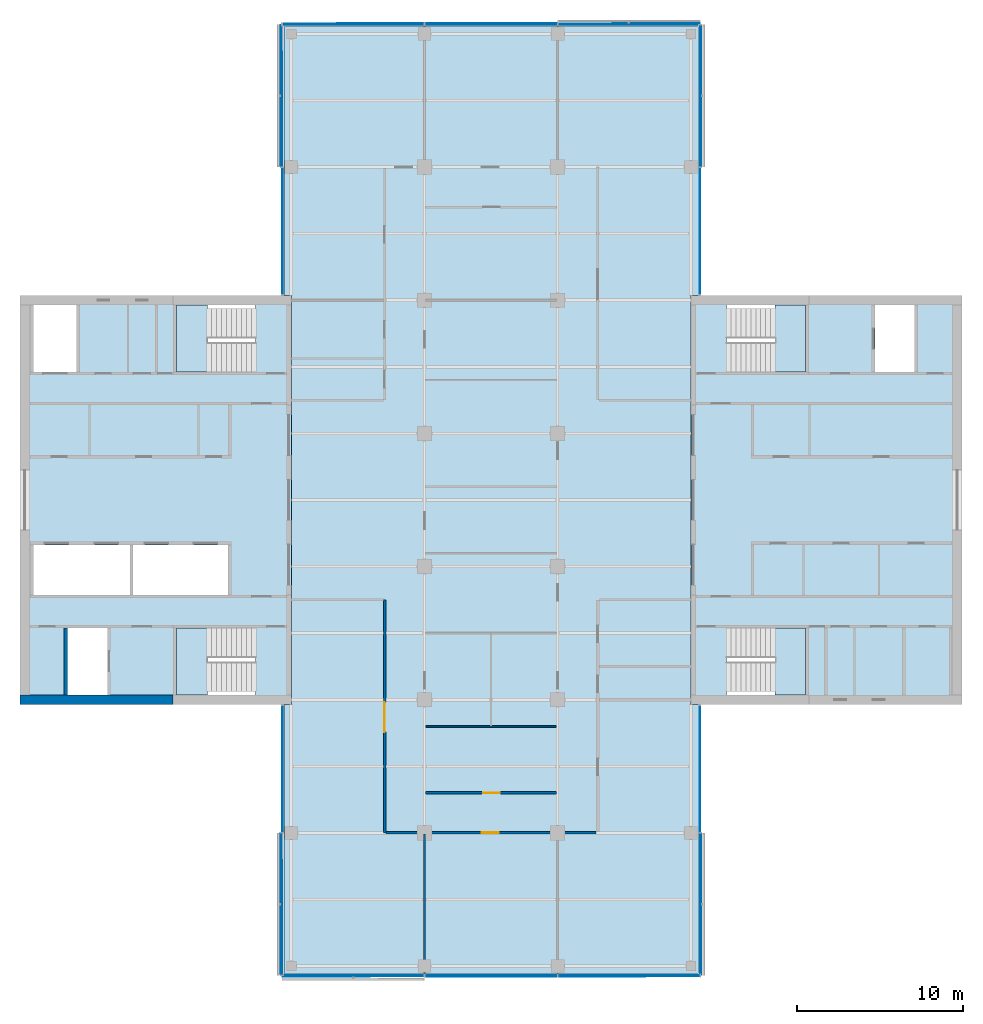
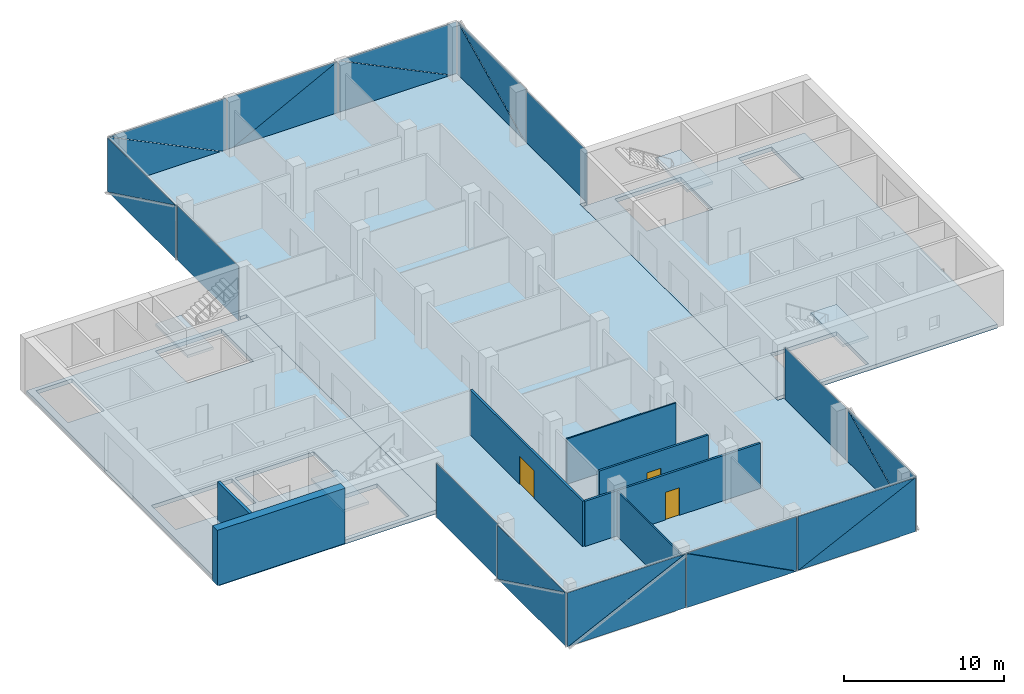
# One storey, part 8 of 15: 24 plates, 7 slabs, 7 walls, 3 doors, 3 openings, 14 elements without a shape of their own.
"""IFC4 building model written with IfcOpenShell, lengths in metres."""

from ifc_helpers import new_model, si_unit, direction, frame, frame_2d, origin, place, context, subcontext, project, spatial, polyline, rectangle, outline, extrude, material, layer, layer_set, constituent, constituent_set, type_object, element, fill, aggregate, save


model = new_model("IFC4")

# Units and contexts
model_context = context("Model", 3, precision=1e-05, world=origin(), true_north=direction((0.0, 1.0)))
body_context = subcontext(model_context, "Body", "Model", "MODEL_VIEW")
ifc_project = project(units=[si_unit("LENGTHUNIT", "METRE"), si_unit("AREAUNIT", "SQUARE_METRE"), si_unit("VOLUMEUNIT", "CUBIC_METRE"), si_unit("PLANEANGLEUNIT", "RADIAN"), si_unit("MASSUNIT", "GRAM", prefix="KILO")], contexts=[model_context])

# Site, building, storey
site_placement = place(None, origin())
site = spatial("IfcSite", under=ifc_project, at=site_placement, CompositionType="ELEMENT")
building_placement = place(site_placement, origin())
building = spatial("IfcBuilding", under=site, at=building_placement, Name="Crosswind Convention Tower", CompositionType="ELEMENT")
storey_placement = place(building_placement, frame((0.0, 0.0, 191.5)))
storey = spatial("IfcBuildingStorey", under=building, at=storey_placement, Name="L40", CompositionType="ELEMENT", Elevation=191.5)

# Slabs
ifc_material_1 = material(Name="Concrete C40/50", Category="concrete")
ifc_layer_1 = layer(ifc_material_1, 0.300048828125)
ifc_layer_set_1 = layer_set([ifc_layer_1], Name="Concrete C40/50")
slab_type_1 = type_object("IfcSlabType", Name="Composite floor slab 300", PredefinedType="FLOOR", material=ifc_layer_set_1)
slab_1_placement = place(storey_placement, frame((0.0, 0.0, -0.300048828125)))
element("IfcSlab", 1, at=slab_1_placement, inside=storey, type_object=slab_type_1, Name="Floor slab L40", PredefinedType="FLOOR", context=body_context, shape_type="SweptSolid", body=[
    extrude(outline(polyline([(137.449951171875, 71.550048828125), (137.0, 71.550048828125), (113.0, 71.550048828125), (112.550048828125, 71.550048828125), (112.550048828125, 72.0), (112.550048828125, 87.699951171875), (113.0, 87.699951171875), (113.0, 112.300048828125), (112.550048828125, 112.300048828125), (112.550048828125, 128.0), (112.550048828125, 128.449951171875), (113.0, 128.449951171875), (137.0, 128.449951171875), (137.449951171875, 128.449951171875), (137.449951171875, 128.0), (137.449951171875, 112.300048828125), (137.0, 112.300048828125), (137.0, 87.699951171875), (137.449951171875, 87.699951171875), (137.449951171875, 72.0), (137.449951171875, 71.550048828125)])), origin(), (0.0, 0.0, 1.0), 0.300048828125),
])
ifc_layer_2 = layer(ifc_material_1, 0.300048828125)
ifc_layer_set_2 = layer_set([ifc_layer_2], Name="Concrete C40/50")
slab_type_2 = type_object("IfcSlabType", Name="Concrete core floor slab 300", PredefinedType="FLOOR", material=ifc_layer_set_2)
slab_2_placement = place(storey_placement, frame((0.0, 0.0, -0.300048828125)))
element("IfcSlab", 2, at=slab_2_placement, inside=storey, type_object=slab_type_2, Name="Core floor slab E L40", PredefinedType="FLOOR", context=body_context, shape_type="SweptSolid", body=[
    extrude(outline(polyline([(137.0, 88.0), (153.0, 88.0), (153.0, 112.0), (137.0, 112.0), (137.0, 88.0)]), holes=[polyline([(150.449951171875, 107.699951171875), (150.449951171875, 111.699951171875), (148.050048828125, 111.699951171875), (148.050048828125, 107.699951171875), (150.449951171875, 107.699951171875)]), polyline([(143.89990234375, 107.699951171875), (143.89990234375, 111.699951171875), (139.14990234375, 111.699951171875), (139.14990234375, 107.699951171875), (143.89990234375, 107.699951171875)]), polyline([(143.89990234375, 88.300048828125), (143.89990234375, 92.300048828125), (139.14990234375, 92.300048828125), (139.14990234375, 88.300048828125), (143.89990234375, 88.300048828125)])]), origin(), (0.0, 0.0, 1.0), 0.300048828125),
])
slab_3_placement = place(storey_placement, frame((0.0, 0.0, -0.300048828125)))
element("IfcSlab", 3, at=slab_3_placement, inside=storey, type_object=slab_type_2, Name="Core floor slab W L40", PredefinedType="FLOOR", context=body_context, shape_type="SweptSolid", body=[
    extrude(outline(polyline([(97.0, 88.0), (113.0, 88.0), (113.0, 112.0), (97.0, 112.0), (97.0, 88.0)]), holes=[polyline([(109.199951171875, 94.300048828125), (109.199951171875, 97.300048828125), (103.5, 97.300048828125), (103.5, 94.300048828125), (109.199951171875, 94.300048828125)]), polyline([(103.300048828125, 94.300048828125), (103.300048828125, 97.300048828125), (97.5, 97.300048828125), (97.5, 94.300048828125), (103.300048828125, 94.300048828125)]), polyline([(101.949951171875, 88.300048828125), (101.949951171875, 92.300048828125), (99.550048828125, 92.300048828125), (99.550048828125, 88.300048828125), (101.949951171875, 88.300048828125)]), polyline([(100.10009765625, 107.699951171875), (100.10009765625, 111.699951171875), (97.5, 111.699951171875), (97.5, 107.699951171875), (100.10009765625, 107.699951171875)]), polyline([(110.85009765625, 88.300048828125), (110.85009765625, 92.300048828125), (106.10009765625, 92.300048828125), (106.10009765625, 88.300048828125), (110.85009765625, 88.300048828125)]), polyline([(110.85009765625, 107.699951171875), (110.85009765625, 111.699951171875), (106.10009765625, 111.699951171875), (106.10009765625, 107.699951171875), (110.85009765625, 107.699951171875)])]), origin(), (0.0, 0.0, 1.0), 0.300048828125),
])

# Stair, slab
stair_type = type_object("IfcStairType", Name="Exit stair 1800 wide, 2 flights of 11 risers", PredefinedType="HALF_TURN_STAIR", material=ifc_material_1)
stair_1_placement = place(storey_placement, origin())
stair_1 = element("IfcStair", 4, at=stair_1_placement, inside=storey, type_object=stair_type, Name="Exit stair ST1 L40", ObjectType="ST5", PredefinedType="HALF_TURN_STAIR")
ifc_layer_3 = layer(ifc_material_1, 0.199951171875)
ifc_layer_set_3 = layer_set([ifc_layer_3], Name="Concrete C40/50")
slab_type_3 = type_object("IfcSlabType", Name="Stair landing 200", PredefinedType="LANDING", material=ifc_layer_set_3)
slab_4_placement = place(storey_placement, frame((0.0, 0.0, 1.89990234375)))
slab_4 = element("IfcSlab", 5, at=slab_4_placement, type_object=slab_type_3, Name="ST1 landing 1", PredefinedType="LANDING", context=body_context, shape_type="SweptSolid", body=[
    extrude(outline(polyline([(143.89990234375, 107.699951171875), (143.89990234375, 111.699951171875), (142.050048828125, 111.699951171875), (142.050048828125, 107.699951171875), (143.89990234375, 107.699951171875)])), origin(), (0.0, 0.0, 1.0), 0.2001953125),
])
aggregate(stair_1, [slab_4])

stair_2_placement = place(storey_placement, origin())
stair_2 = element("IfcStair", 6, at=stair_2_placement, inside=storey, type_object=stair_type, Name="Exit stair ST2 L40", ObjectType="ST5", PredefinedType="HALF_TURN_STAIR")
slab_5_placement = place(storey_placement, frame((0.0, 0.0, 1.89990234375)))
slab_5 = element("IfcSlab", 7, at=slab_5_placement, type_object=slab_type_3, Name="ST2 landing 1", PredefinedType="LANDING", context=body_context, shape_type="SweptSolid", body=[
    extrude(outline(polyline([(143.89990234375, 88.300048828125), (143.89990234375, 92.300048828125), (142.050048828125, 92.300048828125), (142.050048828125, 88.300048828125), (143.89990234375, 88.300048828125)])), origin(), (0.0, 0.0, 1.0), 0.2001953125),
])
aggregate(stair_2, [slab_5])

stair_3_placement = place(storey_placement, origin())
stair_3 = element("IfcStair", 8, at=stair_3_placement, inside=storey, type_object=stair_type, Name="Exit stair ST3 L40", ObjectType="ST5", PredefinedType="HALF_TURN_STAIR")
slab_6_placement = place(storey_placement, frame((0.0, 0.0, 1.89990234375)))
slab_6 = element("IfcSlab", 9, at=slab_6_placement, type_object=slab_type_3, Name="ST3 landing 1", PredefinedType="LANDING", context=body_context, shape_type="SweptSolid", body=[
    extrude(outline(polyline([(107.949951171875, 88.300048828125), (107.949951171875, 92.300048828125), (106.10009765625, 92.300048828125), (106.10009765625, 88.300048828125), (107.949951171875, 88.300048828125)])), origin(), (0.0, 0.0, 1.0), 0.2001953125),
])
aggregate(stair_3, [slab_6])

stair_4_placement = place(storey_placement, origin())
stair_4 = element("IfcStair", 10, at=stair_4_placement, inside=storey, type_object=stair_type, Name="Exit stair ST4 L40", ObjectType="ST5", PredefinedType="HALF_TURN_STAIR")
slab_7_placement = place(storey_placement, frame((0.0, 0.0, 1.89990234375)))
slab_7 = element("IfcSlab", 11, at=slab_7_placement, type_object=slab_type_3, Name="ST4 landing 1", PredefinedType="LANDING", context=body_context, shape_type="SweptSolid", body=[
    extrude(outline(polyline([(107.949951171875, 107.699951171875), (107.949951171875, 111.699951171875), (106.10009765625, 111.699951171875), (106.10009765625, 107.699951171875), (107.949951171875, 107.699951171875)])), origin(), (0.0, 0.0, 1.0), 0.2001953125),
])
aggregate(stair_4, [slab_7])

# Curtain wall, plate
ifc_material_2 = material(Name="Aluminium unitised curtain wall", Category="aluminium")
curtain_wall_type_1 = type_object("IfcCurtainWallType", Name="CORE END SLOT WALL 160", PredefinedType="USERDEFINED", material=ifc_material_2)
curtain_wall_1_placement = place(storey_placement, origin())
curtain_wall_1 = element("IfcCurtainWall", 12, at=curtain_wall_1_placement, inside=storey, type_object=curtain_wall_type_1, Name="CW6 L40 N-E.1-1 slot", ObjectType="UNITISED", PredefinedType="USERDEFINED")
ifc_material_3 = material(Name="Laminated insulating glass unit", Category="glass")
ifc_layer_4 = layer(ifc_material_3, 0.02587890625)
ifc_layer_set_4 = layer_set([ifc_layer_4], Name="TRIANGULAR GLASS PANEL 26")
plate_type_1 = type_object("IfcPlateType", Name="TRIANGULAR GLASS PANEL 26", PredefinedType="CURTAIN_PANEL", material=ifc_layer_set_4)
plate_1_placement = place(storey_placement, frame((137.556884765625, 112.35009765625, -0.300048828125), z_axis=(0.999999915215, 0.0, 0.000411788894), x_axis=(0.0, 1.0, 0.0)))
plate_1 = element("IfcPlate", 13, at=plate_1_placement, type_object=plate_type_1, Name="CW6 panel 1.1", PredefinedType="CURTAIN_PANEL", context=body_context, shape_type="SweptSolid", body=[
    extrude(outline(polyline([(0.0, 0.0), (7.599853515625, 0.0), (7.599853515625, 4.150146836245408), (0.0, 4.150146836245408), (0.0, 0.0)])), origin(), (0.0, 0.0, -1.0), 0.02587890625),
])
aggregate(curtain_wall_1, [plate_1])

curtain_wall_2_placement = place(storey_placement, origin())
curtain_wall_2 = element("IfcCurtainWall", 14, at=curtain_wall_2_placement, inside=storey, type_object=curtain_wall_type_1, Name="CW6 L40 N-W.1-2 slot", ObjectType="UNITISED", PredefinedType="USERDEFINED")
plate_2_placement = place(storey_placement, frame((112.443115234375, 119.949951171875, -0.300048828125), z_axis=(-0.999999915215, 0.0, 0.000411788894), x_axis=(0.0, -1.0, 0.0)))
plate_2 = element("IfcPlate", 15, at=plate_2_placement, type_object=plate_type_1, Name="CW6 panel 1.1", PredefinedType="CURTAIN_PANEL", context=body_context, shape_type="SweptSolid", body=[
    extrude(outline(polyline([(0.0, 0.0), (7.599853515625, 0.0), (7.599853515625, 4.150146836245408), (0.0, 4.150146836245408), (0.0, 0.0)])), origin(), (0.0, 0.0, -1.0), 0.02587890625),
])
aggregate(curtain_wall_2, [plate_2])

curtain_wall_3_placement = place(storey_placement, origin())
curtain_wall_3 = element("IfcCurtainWall", 16, at=curtain_wall_3_placement, inside=storey, type_object=curtain_wall_type_1, Name="CW6 L40 S-W.1-1 slot", ObjectType="UNITISED", PredefinedType="USERDEFINED")
plate_3_placement = place(storey_placement, frame((112.443115234375, 87.64990234375, -0.300048828125), z_axis=(-0.999999915215, 0.0, 0.000411788894), x_axis=(0.0, -1.0, 0.0)))
plate_3 = element("IfcPlate", 17, at=plate_3_placement, type_object=plate_type_1, Name="CW6 panel 1.1", PredefinedType="CURTAIN_PANEL", context=body_context, shape_type="SweptSolid", body=[
    extrude(outline(polyline([(0.0, 0.0), (7.599853515625, 0.0), (7.599853515625, 4.150146836245408), (0.0, 4.150146836245408), (0.0, 0.0)])), origin(), (0.0, 0.0, -1.0), 0.02587890625),
])
aggregate(curtain_wall_3, [plate_3])

curtain_wall_4_placement = place(storey_placement, origin())
curtain_wall_4 = element("IfcCurtainWall", 18, at=curtain_wall_4_placement, inside=storey, type_object=curtain_wall_type_1, Name="CW6 L40 S-E.1-2 slot", ObjectType="UNITISED", PredefinedType="USERDEFINED")
plate_4_placement = place(storey_placement, frame((137.556884765625, 80.050048828125, -0.300048828125), z_axis=(0.999999915215, 0.0, 0.000411788894), x_axis=(0.0, 1.0, 0.0)))
plate_4 = element("IfcPlate", 19, at=plate_4_placement, type_object=plate_type_1, Name="CW6 panel 1.1", PredefinedType="CURTAIN_PANEL", context=body_context, shape_type="SweptSolid", body=[
    extrude(outline(polyline([(0.0, 0.0), (7.599853515625, 0.0), (7.599853515625, 4.150146836245408), (0.0, 4.150146836245408), (0.0, 0.0)])), origin(), (0.0, 0.0, -1.0), 0.02587890625),
])
aggregate(curtain_wall_4, [plate_4])

# Curtain wall, plates
curtain_wall_type_2 = type_object("IfcCurtainWallType", Name="OFFICE UNITISED WALL 220", PredefinedType="USERDEFINED", material=ifc_material_2)
curtain_wall_5_placement = place(storey_placement, origin())
curtain_wall_5 = element("IfcCurtainWall", 20, at=curtain_wall_5_placement, inside=storey, type_object=curtain_wall_type_2, Name="CW3 L40 N-E 1", ObjectType="UNITISED", PredefinedType="USERDEFINED")
ifc_layer_5 = layer(ifc_material_3, 0.031982421875)
ifc_layer_set_5 = layer_set([ifc_layer_5], Name="TRIANGULAR GLASS PANEL 32")
plate_type_2 = type_object("IfcPlateType", Name="TRIANGULAR GLASS PANEL 32", PredefinedType="CURTAIN_PANEL", material=ifc_layer_set_5)
plate_5_placement = place(storey_placement, frame((137.5927734375, 128.52490234375, -0.300048828125), z_axis=(0.999999913924, 0.0, 0.000414913129), x_axis=(-0.000414913129, 0.0, 0.999999913924)))
plate_5 = element("IfcPlate", 21, at=plate_5_placement, type_object=plate_type_2, Name="CW3 panel 1.1", PredefinedType="CURTAIN_PANEL", context=body_context, shape_type="SweptSolid", body=[
    extrude(outline(polyline([(0.0, 0.0), (4.118896838915043, 0.0), (0.0, 8.467041015624998), (0.0, 0.0)])), origin(), (0.0, 0.0, -1.0), 0.031982421875),
])
plate_6_placement = place(storey_placement, frame((137.625244140625, 120.034912109375, 3.830078125), z_axis=(0.99999993676, 0.0, 0.000355639833), x_axis=(0.000355639833, 0.0, -0.99999993676)))
plate_6 = element("IfcPlate", 22, at=plate_6_placement, type_object=plate_type_2, Name="CW3 panel 1.2", PredefinedType="CURTAIN_PANEL", context=body_context, shape_type="SweptSolid", body=[
    extrude(outline(polyline([(0.0, 0.0), (4.1188967448534015, 0.0), (0.0, 8.46728515625), (0.0, 0.0)])), origin(), (0.0, 0.0, -1.0), 0.031982421875),
])
aggregate(curtain_wall_5, [plate_5, plate_6])

curtain_wall_6_placement = place(storey_placement, origin())
curtain_wall_6 = element("IfcCurtainWall", 23, at=curtain_wall_6_placement, inside=storey, type_object=curtain_wall_type_2, Name="CW3 L40 N-TIP 1", ObjectType="UNITISED", PredefinedType="USERDEFINED")
plate_7_placement = place(storey_placement, frame((129.034912109375, 128.5927734375, -0.300048828125), z_axis=(0.0, 0.999999913924, 0.000414913129), x_axis=(0.0, -0.000414913129, 0.999999913924)))
plate_7 = element("IfcPlate", 24, at=plate_7_placement, type_object=plate_type_2, Name="CW3 panel 1.1", PredefinedType="CURTAIN_PANEL", context=body_context, shape_type="SweptSolid", body=[
    extrude(outline(polyline([(0.0, 0.0), (4.118896838915043, 0.0), (0.0, 8.467285156249998), (0.0, 0.0)])), origin(), (0.0, 0.0, -1.0), 0.031982421875),
])
plate_8_placement = place(storey_placement, frame((137.52490234375, 128.625244140625, 3.830078125), z_axis=(0.0, 0.99999993676, 0.000355639833), x_axis=(0.0, 0.000355639833, -0.99999993676)))
plate_8 = element("IfcPlate", 25, at=plate_8_placement, type_object=plate_type_2, Name="CW3 panel 1.2", PredefinedType="CURTAIN_PANEL", context=body_context, shape_type="SweptSolid", body=[
    extrude(outline(polyline([(0.0, 0.0), (4.1188967448534015, 0.0), (0.0, 8.467041015625), (0.0, 0.0)])), origin(), (0.0, 0.0, -1.0), 0.031982421875),
])
plate_9_placement = place(storey_placement, frame((121.034912109375, 128.591064453125, 3.830078125), z_axis=(0.0, 0.999999913924, 0.000414913129), x_axis=(1.0, 0.0, 0.0)))
plate_9 = element("IfcPlate", 26, at=plate_9_placement, type_object=plate_type_2, Name="CW3 panel 2.1", PredefinedType="CURTAIN_PANEL", context=body_context, shape_type="SweptSolid", body=[
    extrude(outline(polyline([(0.0, 0.0), (7.908447265625, 0.0), (0.0, 4.118896838915043), (0.0, 0.0)])), origin(), (0.0, 0.0, -1.0), 0.031982421875),
])
plate_10_placement = place(storey_placement, frame((128.965087890625, 128.626708984375, -0.300048828125), z_axis=(0.0, 0.999999936753, 0.000355660914), x_axis=(-1.0, 0.0, 0.0)))
plate_10 = element("IfcPlate", 27, at=plate_10_placement, type_object=plate_type_2, Name="CW3 panel 2.2", PredefinedType="CURTAIN_PANEL", context=body_context, shape_type="SweptSolid", body=[
    extrude(outline(polyline([(0.0, 0.0), (7.908447265625, 0.0), (0.0, 4.118652604243842), (0.0, 0.0)])), origin(), (0.0, 0.0, -1.0), 0.031982421875),
])
plate_11_placement = place(storey_placement, frame((112.47509765625, 128.5927734375, -0.300048828125), z_axis=(0.0, 0.999999913924, 0.000414913129), x_axis=(0.0, -0.000414913129, 0.999999913924)))
plate_11 = element("IfcPlate", 28, at=plate_11_placement, type_object=plate_type_2, Name="CW3 panel 3.1", PredefinedType="CURTAIN_PANEL", context=body_context, shape_type="SweptSolid", body=[
    extrude(outline(polyline([(0.0, 0.0), (4.118896838915043, 0.0), (0.0, 8.467041015624998), (0.0, 0.0)])), origin(), (0.0, 0.0, -1.0), 0.031982421875),
])
plate_12_placement = place(storey_placement, frame((120.965087890625, 128.625244140625, 3.830078125), z_axis=(0.0, 0.99999993676, 0.000355639833), x_axis=(0.0, 0.000355639833, -0.99999993676)))
plate_12 = element("IfcPlate", 29, at=plate_12_placement, type_object=plate_type_2, Name="CW3 panel 3.2", PredefinedType="CURTAIN_PANEL", context=body_context, shape_type="SweptSolid", body=[
    extrude(outline(polyline([(0.0, 0.0), (4.1188967448534015, 0.0), (0.0, 8.46728515625), (0.0, 0.0)])), origin(), (0.0, 0.0, -1.0), 0.031982421875),
])
aggregate(curtain_wall_6, [plate_7, plate_8, plate_9, plate_10, plate_11, plate_12])

curtain_wall_7_placement = place(storey_placement, origin())
curtain_wall_7 = element("IfcCurtainWall", 30, at=curtain_wall_7_placement, inside=storey, type_object=curtain_wall_type_2, Name="CW3 L40 N-W 1", ObjectType="UNITISED", PredefinedType="USERDEFINED")
plate_13_placement = place(storey_placement, frame((112.4072265625, 120.034912109375, -0.300048828125), z_axis=(-0.999999913924, 0.0, 0.000414913129), x_axis=(0.000414913129, 0.0, 0.999999913924)))
plate_13 = element("IfcPlate", 31, at=plate_13_placement, type_object=plate_type_2, Name="CW3 panel 1.1", PredefinedType="CURTAIN_PANEL", context=body_context, shape_type="SweptSolid", body=[
    extrude(outline(polyline([(0.0, 0.0), (4.118896838915043, 0.0), (0.0, 8.467285156249998), (0.0, 0.0)])), origin(), (0.0, 0.0, -1.0), 0.031982421875),
])
plate_14_placement = place(storey_placement, frame((112.374755859375, 128.52490234375, 3.830078125), z_axis=(-0.99999993676, 0.0, 0.000355639833), x_axis=(-0.000355639833, 0.0, -0.99999993676)))
plate_14 = element("IfcPlate", 32, at=plate_14_placement, type_object=plate_type_2, Name="CW3 panel 1.2", PredefinedType="CURTAIN_PANEL", context=body_context, shape_type="SweptSolid", body=[
    extrude(outline(polyline([(0.0, 0.0), (4.1188967448534015, 0.0), (0.0, 8.467041015625), (0.0, 0.0)])), origin(), (0.0, 0.0, -1.0), 0.031982421875),
])
aggregate(curtain_wall_7, [plate_13, plate_14])

curtain_wall_8_placement = place(storey_placement, origin())
curtain_wall_8 = element("IfcCurtainWall", 33, at=curtain_wall_8_placement, inside=storey, type_object=curtain_wall_type_2, Name="CW3 L40 S-W 1", ObjectType="UNITISED", PredefinedType="USERDEFINED")
plate_15_placement = place(storey_placement, frame((112.4072265625, 71.47509765625, -0.300048828125), z_axis=(-0.999999913924, 0.0, 0.000414913129), x_axis=(0.000414913129, 0.0, 0.999999913924)))
plate_15 = element("IfcPlate", 34, at=plate_15_placement, type_object=plate_type_2, Name="CW3 panel 1.1", PredefinedType="CURTAIN_PANEL", context=body_context, shape_type="SweptSolid", body=[
    extrude(outline(polyline([(0.0, 0.0), (4.118896838915043, 0.0), (0.0, 8.467041015624998), (0.0, 0.0)])), origin(), (0.0, 0.0, -1.0), 0.031982421875),
])
plate_16_placement = place(storey_placement, frame((112.374755859375, 79.965087890625, 3.830078125), z_axis=(-0.99999993676, 0.0, 0.000355639833), x_axis=(-0.000355639833, 0.0, -0.99999993676)))
plate_16 = element("IfcPlate", 35, at=plate_16_placement, type_object=plate_type_2, Name="CW3 panel 1.2", PredefinedType="CURTAIN_PANEL", context=body_context, shape_type="SweptSolid", body=[
    extrude(outline(polyline([(0.0, 0.0), (4.1188967448534015, 0.0), (0.0, 8.46728515625), (0.0, 0.0)])), origin(), (0.0, 0.0, -1.0), 0.031982421875),
])
aggregate(curtain_wall_8, [plate_15, plate_16])

curtain_wall_9_placement = place(storey_placement, origin())
curtain_wall_9 = element("IfcCurtainWall", 36, at=curtain_wall_9_placement, inside=storey, type_object=curtain_wall_type_2, Name="CW3 L40 S-TIP 1", ObjectType="UNITISED", PredefinedType="USERDEFINED")
plate_17_placement = place(storey_placement, frame((120.965087890625, 71.4072265625, -0.300048828125), z_axis=(0.0, -0.999999913924, 0.000414913129), x_axis=(0.0, 0.000414913129, 0.999999913924)))
plate_17 = element("IfcPlate", 37, at=plate_17_placement, type_object=plate_type_2, Name="CW3 panel 1.1", PredefinedType="CURTAIN_PANEL", context=body_context, shape_type="SweptSolid", body=[
    extrude(outline(polyline([(0.0, 0.0), (4.118896838915043, 0.0), (0.0, 8.467285156249998), (0.0, 0.0)])), origin(), (0.0, 0.0, -1.0), 0.031982421875),
])
plate_18_placement = place(storey_placement, frame((112.47509765625, 71.374755859375, 3.830078125), z_axis=(0.0, -0.99999993676, 0.000355639833), x_axis=(0.0, -0.000355639833, -0.99999993676)))
plate_18 = element("IfcPlate", 38, at=plate_18_placement, type_object=plate_type_2, Name="CW3 panel 1.2", PredefinedType="CURTAIN_PANEL", context=body_context, shape_type="SweptSolid", body=[
    extrude(outline(polyline([(0.0, 0.0), (4.1188967448534015, 0.0), (0.0, 8.467041015625), (0.0, 0.0)])), origin(), (0.0, 0.0, -1.0), 0.031982421875),
])
plate_19_placement = place(storey_placement, frame((128.965087890625, 71.408935546875, 3.830078125), z_axis=(0.0, -0.999999913924, 0.000414913129), x_axis=(-1.0, 0.0, 0.0)))
plate_19 = element("IfcPlate", 39, at=plate_19_placement, type_object=plate_type_2, Name="CW3 panel 2.1", PredefinedType="CURTAIN_PANEL", context=body_context, shape_type="SweptSolid", body=[
    extrude(outline(polyline([(0.0, 0.0), (7.908447265625, 0.0), (0.0, 4.118896838915043), (0.0, 0.0)])), origin(), (0.0, 0.0, -1.0), 0.031982421875),
])
plate_20_placement = place(storey_placement, frame((121.034912109375, 71.373291015625, -0.300048828125), z_axis=(0.0, -0.999999936753, 0.000355660914), x_axis=(1.0, 0.0, 0.0)))
plate_20 = element("IfcPlate", 40, at=plate_20_placement, type_object=plate_type_2, Name="CW3 panel 2.2", PredefinedType="CURTAIN_PANEL", context=body_context, shape_type="SweptSolid", body=[
    extrude(outline(polyline([(0.0, 0.0), (7.908447265625, 0.0), (0.0, 4.118652604243842), (0.0, 0.0)])), origin(), (0.0, 0.0, -1.0), 0.031982421875),
])
plate_21_placement = place(storey_placement, frame((137.52490234375, 71.4072265625, -0.300048828125), z_axis=(0.0, -0.999999913924, 0.000414913129), x_axis=(0.0, 0.000414913129, 0.999999913924)))
plate_21 = element("IfcPlate", 41, at=plate_21_placement, type_object=plate_type_2, Name="CW3 panel 3.1", PredefinedType="CURTAIN_PANEL", context=body_context, shape_type="SweptSolid", body=[
    extrude(outline(polyline([(0.0, 0.0), (4.118896838915043, 0.0), (0.0, 8.467041015624998), (0.0, 0.0)])), origin(), (0.0, 0.0, -1.0), 0.031982421875),
])
plate_22_placement = place(storey_placement, frame((129.034912109375, 71.374755859375, 3.830078125), z_axis=(0.0, -0.99999993676, 0.000355639833), x_axis=(0.0, -0.000355639833, -0.99999993676)))
plate_22 = element("IfcPlate", 42, at=plate_22_placement, type_object=plate_type_2, Name="CW3 panel 3.2", PredefinedType="CURTAIN_PANEL", context=body_context, shape_type="SweptSolid", body=[
    extrude(outline(polyline([(0.0, 0.0), (4.1188967448534015, 0.0), (0.0, 8.46728515625), (0.0, 0.0)])), origin(), (0.0, 0.0, -1.0), 0.031982421875),
])
aggregate(curtain_wall_9, [plate_17, plate_18, plate_19, plate_20, plate_21, plate_22])

curtain_wall_10_placement = place(storey_placement, origin())
curtain_wall_10 = element("IfcCurtainWall", 43, at=curtain_wall_10_placement, inside=storey, type_object=curtain_wall_type_2, Name="CW3 L40 S-E 1", ObjectType="UNITISED", PredefinedType="USERDEFINED")
plate_23_placement = place(storey_placement, frame((137.5927734375, 79.965087890625, -0.300048828125), z_axis=(0.999999913924, 0.0, 0.000414913129), x_axis=(-0.000414913129, 0.0, 0.999999913924)))
plate_23 = element("IfcPlate", 44, at=plate_23_placement, type_object=plate_type_2, Name="CW3 panel 1.1", PredefinedType="CURTAIN_PANEL", context=body_context, shape_type="SweptSolid", body=[
    extrude(outline(polyline([(0.0, 0.0), (4.118896838915043, 0.0), (0.0, 8.467285156249998), (0.0, 0.0)])), origin(), (0.0, 0.0, -1.0), 0.031982421875),
])
plate_24_placement = place(storey_placement, frame((137.625244140625, 71.47509765625, 3.830078125), z_axis=(0.99999993676, 0.0, 0.000355639833), x_axis=(0.000355639833, 0.0, -0.99999993676)))
plate_24 = element("IfcPlate", 45, at=plate_24_placement, type_object=plate_type_2, Name="CW3 panel 1.2", PredefinedType="CURTAIN_PANEL", context=body_context, shape_type="SweptSolid", body=[
    extrude(outline(polyline([(0.0, 0.0), (4.1188967448534015, 0.0), (0.0, 8.467041015625), (0.0, 0.0)])), origin(), (0.0, 0.0, -1.0), 0.031982421875),
])
aggregate(curtain_wall_10, [plate_23, plate_24])

# Walls
ifc_material_4 = material(Name="Concrete C50/60", Category="concrete")
ifc_layer_6 = layer(ifc_material_4, 0.199951171875)
ifc_layer_set_6 = layer_set([ifc_layer_6], Name="Concrete C50/60")
wall_type_1 = type_object("IfcWallType", Name="Concrete shaft and stair wall 200", PredefinedType="SHEAR", material=ifc_layer_set_6)
wall_1_placement = place(storey_placement, frame((99.449951171875, 92.300048828125, 0.0), z_axis=(0.0, 0.0, 1.0), x_axis=(0.0, -1.0, 0.0)))
element("IfcWall", 46, at=wall_1_placement, inside=storey, type_object=wall_type_1, Name="Wall PFSE W L40", PredefinedType="SHEAR", context=body_context, shape_type="SweptSolid", body=[
    extrude(rectangle(XDim=4.0, YDim=0.199951171875, at=frame_2d((2.0, 0.0))), origin(), (0.0, 0.0, 1.0), 4.199951171875),
])
ifc_material_5 = material(Name="Plasterboard partition", Category="gypsum")
ifc_layer_7 = layer(ifc_material_5, 0.10009765625)
ifc_layer_set_7 = layer_set([ifc_layer_7], Name="PARTITION 100 METAL STUD")
wall_type_2 = type_object("IfcWallType", Name="PARTITION 100 METAL STUD", PredefinedType="PARTITIONING", material=ifc_layer_set_7)
wall_2_placement = place(storey_placement, frame((121.0, 71.6298828125, 0.0), z_axis=(0.0, 0.0, 1.0), x_axis=(0.0, 1.0, 0.0)))
element("IfcWall", 47, at=wall_2_placement, inside=storey, type_object=wall_type_2, Name="Partition wall WT40", PredefinedType="PARTITIONING", context=body_context, shape_type="SweptSolid", body=[
    extrude(rectangle(XDim=8.295166015625, YDim=0.10009765625, at=frame_2d((4.1474609375, 0.0))), origin(), (0.0, 0.0, 1.0), 3.439697265625),
])
wall_3_placement = place(storey_placement, frame((121.074951171875, 86.39990234375, 0.0), z_axis=(0.0, 0.0, 1.0), x_axis=(1.0, 0.0, 0.0)))
element("IfcWall", 48, at=wall_3_placement, inside=storey, type_object=wall_type_2, Name="Partition wall WT40", PredefinedType="PARTITIONING", context=body_context, shape_type="SweptSolid", body=[
    extrude(rectangle(XDim=7.85009765625, YDim=0.10009765625, at=frame_2d((3.925048828125, 0.0))), origin(), (0.0, 0.0, 1.0), 3.439697265625),
])

# Wall, opening, door
ifc_material_6 = material(Name="Fire-board partition with mineral wool", Category="gypsum")
ifc_layer_8 = layer(ifc_material_6, 0.14990234375)
ifc_layer_set_8 = layer_set([ifc_layer_8], Name="TENANCY WALL 150 TWO-HOUR BOARD")
wall_type_3 = type_object("IfcWallType", Name="TENANCY WALL 150 TWO-HOUR BOARD", PredefinedType="PARTITIONING", material=ifc_layer_set_8)
wall_4_placement = place(storey_placement, frame((118.60009765625, 80.0, 0.0), z_axis=(0.0, 0.0, 1.0), x_axis=(0.0, 1.0, 0.0)))
wall_4 = element("IfcWall", 49, at=wall_4_placement, inside=storey, type_object=wall_type_3, Name="Tenancy wall WT41", PredefinedType="PARTITIONING", context=body_context, shape_type="SweptSolid", body=[
    extrude(rectangle(XDim=14.0, YDim=0.14990234375, at=frame_2d((7.0, 0.0))), origin(), (0.0, 0.0, 1.0), 3.439697265625),
])
opening_1_placement = place(wall_4_placement, frame((6.050048828125, 0.0, 0.0)))
opening_1 = element("IfcOpeningElement", 50, at=opening_1_placement, cuts=wall_4, Name="Opening L40-57", PredefinedType="OPENING", context=body_context, shape_type="SweptSolid", body=[
    extrude(rectangle(XDim=1.800048828125, YDim=2.10009765625, at=frame_2d((0.89990234375, 1.050048828125))), frame((0.0, 0.0849609375, 0.0), z_axis=(0.0, -1.0, 0.0), x_axis=(1.0, 0.0, 0.0)), (0.0, 0.0, 1.0), 0.169921875),
])
ifc_material_7 = material(Name="Timber fire door", Category="wood")
door_type_1 = type_object("IfcDoorType", Name="TENANCY ENTRANCE DOUBLE DOOR 1800X2100 FD30S", OperationType="DOUBLE_DOOR_SINGLE_SWING", PredefinedType="DOOR", material=ifc_material_7)
door_1_placement = place(opening_1_placement, origin())
door_1 = element("IfcDoor", 51, at=door_1_placement, inside=storey, type_object=door_type_1, Name="Door L40-57", ObjectType="D42", OperationType="DOUBLE_DOOR_SINGLE_SWING", OverallHeight=2.10009765625, OverallWidth=1.800048828125, PredefinedType="DOOR", context=body_context, shape_type="SweptSolid", body=[
    extrude(rectangle(XDim=1.800048828125, YDim=2.10009765625, at=frame_2d((0.89990234375, 1.050048828125))), frame((0.0, 0.02490234375, 0.0), z_axis=(0.0, -1.0, 0.0), x_axis=(1.0, 0.0, 0.0)), (0.0, 0.0, 1.0), 0.050048828125),
])
fill(opening_1, door_1)

wall_5_placement = place(storey_placement, frame((118.675048828125, 80.0, 0.0), z_axis=(0.0, 0.0, 1.0), x_axis=(1.0, 0.0, 0.0)))
wall_5 = element("IfcWall", 52, at=wall_5_placement, inside=storey, type_object=wall_type_3, Name="Tenancy wall WT41", PredefinedType="PARTITIONING", context=body_context, shape_type="SweptSolid", body=[
    extrude(rectangle(XDim=12.625, YDim=0.14990234375, at=frame_2d((6.3125, 0.0))), origin(), (0.0, 0.0, 1.0), 3.439697265625),
])
opening_2_placement = place(wall_5_placement, frame((5.77490234375, 0.0, 0.0)))
opening_2 = element("IfcOpeningElement", 53, at=opening_2_placement, cuts=wall_5, Name="Opening L40-60", PredefinedType="OPENING", context=body_context, shape_type="SweptSolid", body=[
    extrude(rectangle(XDim=1.0, YDim=2.10009765625, at=frame_2d((0.5, 1.050048828125))), frame((0.0, 0.0849609375, 0.0), z_axis=(0.0, -1.0, 0.0), x_axis=(1.0, 0.0, 0.0)), (0.0, 0.0, 1.0), 0.169921875),
])
door_type_2 = type_object("IfcDoorType", Name="TENANCY ENTRANCE DOOR 1000X2100 FD30S", OperationType="NOTDEFINED", PredefinedType="DOOR", material=ifc_material_7)
door_2_placement = place(opening_2_placement, frame((1.0, 0.0, 0.0), z_axis=(0.0, 0.0, 1.0), x_axis=(-1.0, 0.0, 0.0)))
door_2 = element("IfcDoor", 54, at=door_2_placement, inside=storey, type_object=door_type_2, Name="Door L40-60", ObjectType="D41", OperationType="SINGLE_SWING_RIGHT", OverallHeight=2.10009765625, OverallWidth=1.0, PredefinedType="DOOR", context=body_context, shape_type="SweptSolid", body=[
    extrude(rectangle(XDim=1.0, YDim=2.10009765625, at=frame_2d((0.5, 1.050048828125))), frame((0.0, 0.02490234375, 0.0), z_axis=(0.0, -1.0, 0.0), x_axis=(1.0, 0.0, 0.0)), (0.0, 0.0, 1.0), 0.050048828125),
])
fill(opening_2, door_2)

wall_6_placement = place(storey_placement, frame((121.074951171875, 82.39990234375, 0.0), z_axis=(0.0, 0.0, 1.0), x_axis=(1.0, 0.0, 0.0)))
wall_6 = element("IfcWall", 55, at=wall_6_placement, inside=storey, type_object=wall_type_3, Name="Tenancy wall WT41", PredefinedType="PARTITIONING", context=body_context, shape_type="SweptSolid", body=[
    extrude(rectangle(XDim=7.85009765625, YDim=0.14990234375, at=frame_2d((3.925048828125, 0.0))), origin(), (0.0, 0.0, 1.0), 3.439697265625),
])
opening_3_placement = place(wall_6_placement, frame((3.449951171875, 0.0, 0.0)))
opening_3 = element("IfcOpeningElement", 56, at=opening_3_placement, cuts=wall_6, Name="Opening L40-61", PredefinedType="OPENING", context=body_context, shape_type="SweptSolid", body=[
    extrude(rectangle(XDim=1.0, YDim=2.10009765625, at=frame_2d((0.5, 1.050048828125))), frame((0.0, 0.0849609375, 0.0), z_axis=(0.0, -1.0, 0.0), x_axis=(1.0, 0.0, 0.0)), (0.0, 0.0, 1.0), 0.169921875),
])
door_3_placement = place(opening_3_placement, origin())
door_3 = element("IfcDoor", 57, at=door_3_placement, inside=storey, type_object=door_type_2, Name="Door L40-61", ObjectType="D41", OperationType="SINGLE_SWING_RIGHT", OverallHeight=2.10009765625, OverallWidth=1.0, PredefinedType="DOOR", context=body_context, shape_type="SweptSolid", body=[
    extrude(rectangle(XDim=1.0, YDim=2.10009765625, at=frame_2d((0.5, 1.050048828125))), frame((0.0, 0.02490234375, 0.0), z_axis=(0.0, -1.0, 0.0), x_axis=(1.0, 0.0, 0.0)), (0.0, 0.0, 1.0), 0.050048828125),
])
fill(opening_3, door_3)

# Wall
ifc_material_8 = material(Name="Concrete C60/75", Category="concrete")
ifc_constituent_1 = constituent(ifc_material_8, Name="Structure")
ifc_material_9 = material(Name="Terracotta rainscreen", Category="ceramic")
ifc_constituent_2 = constituent(ifc_material_9, Name="Facing")
ifc_constituent_set = constituent_set(constituents=[ifc_constituent_1, ifc_constituent_2], Name="Concrete C60/75, Terracotta rainscreen")
wall_type_4 = type_object("IfcWallType", Name="Terracotta rainscreen on concrete core wall 600", PredefinedType="SHEAR", material=ifc_constituent_set)
wall_7_placement = place(storey_placement, frame((105.89990234375, 88.0, 0.0), z_axis=(0.0, 0.0, 1.0), x_axis=(-1.0, 0.0, 0.0)))
element("IfcWall", 58, at=wall_7_placement, inside=storey, type_object=wall_type_4, Name="Wall N2 W L40", PredefinedType="SHEAR", context=body_context, shape_type="SweptSolid", body=[
    extrude(rectangle(XDim=9.199951171875, YDim=0.60009765625, at=frame_2d((4.60009765625, 0.0))), origin(), (0.0, 0.0, 1.0), 4.199951171875),
])

save(model, "model.ifc")
